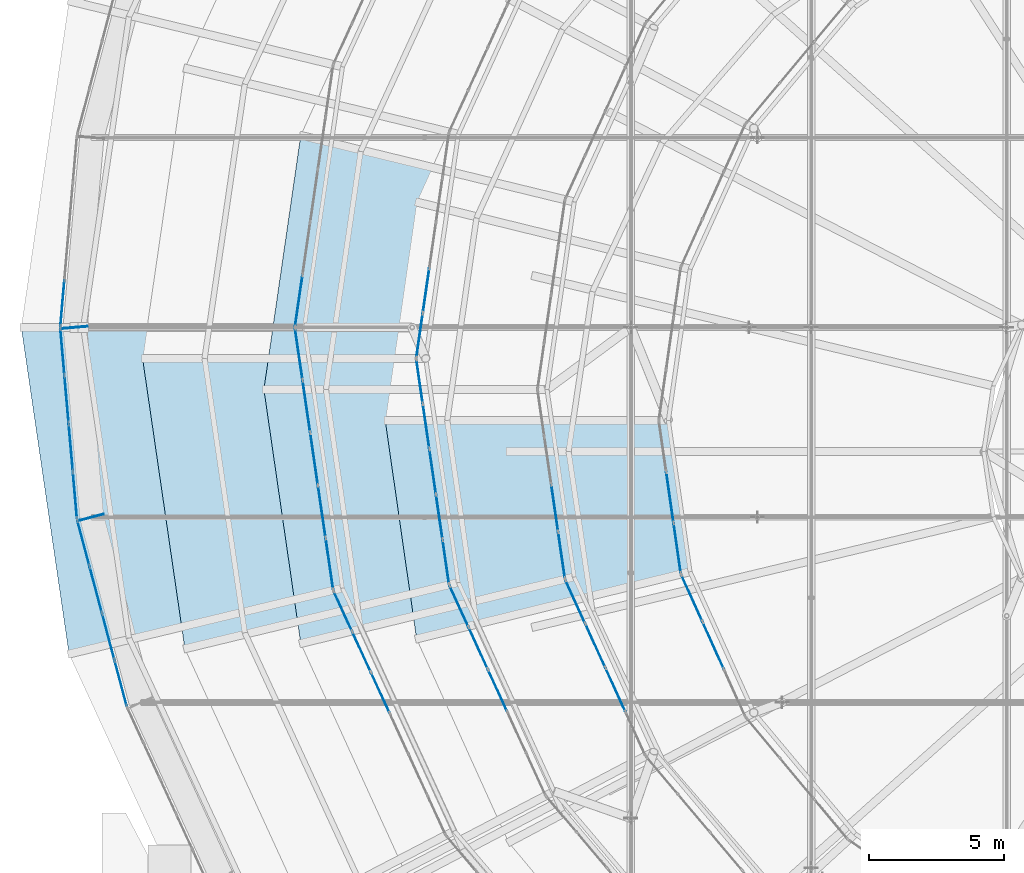
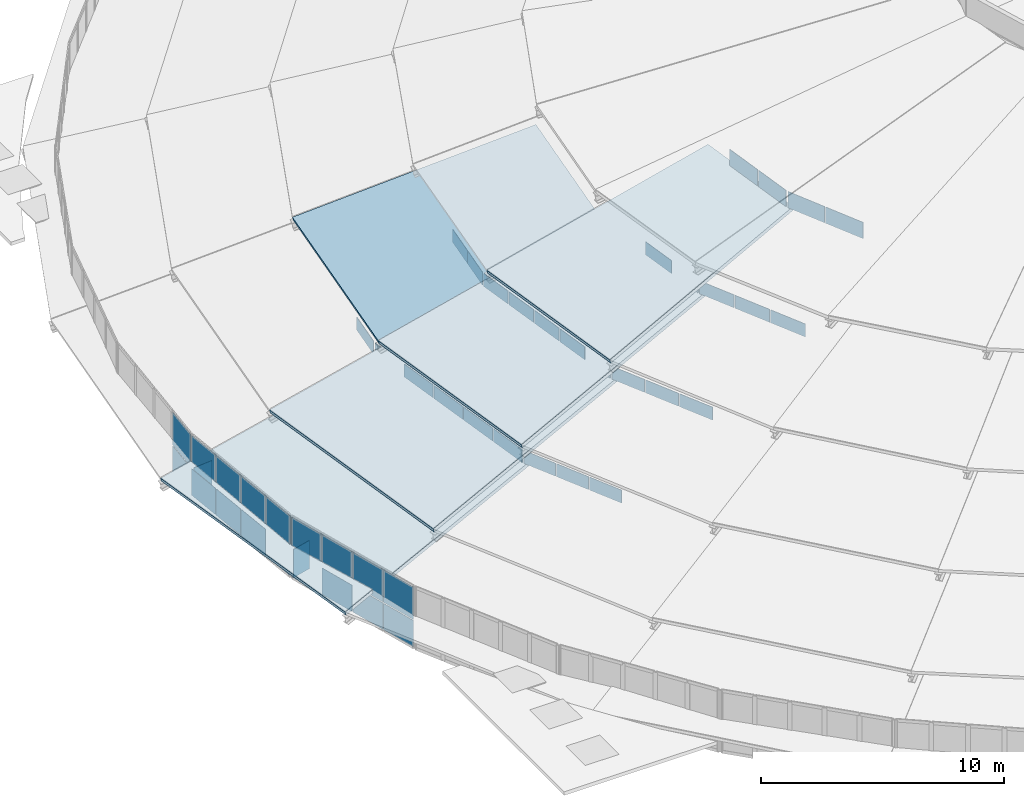
# One storey, part 146 of 173: 48 plates, 5 slabs, 17 elements without a shape of their own.
"""IFC4 building model written with IfcOpenShell, lengths in metres."""

import ifcopenshell
import ifcopenshell.guid

model = None  # the IFC model being written
_history = None  # IfcOwnerHistory: only IFC2X3 demands one
_inside = {}  # id of a spatial element -> (the spatial element, [elements in it])
_under = {}  # id of a project, library or spatial element -> (it, [spatial elements below it])
_declared = {}  # id of a project -> (the project, [libraries it declares])
_typed = {}  # id of a type object -> (the type object, [elements of that type])
_made_of = {}  # id of a material, layer set ... -> (it, [elements and type objects made of it])


def new_model(schema):
    """Start an empty IFC model of exactly this schema.

    Asked for "IFC4X3", IfcOpenShell would pick the latest addendum, in which some entities
    have other attributes; the version numbers below select the first issue.
    IFC2X3 requires an IfcOwnerHistory on every rooted entity: one is made here for all.
    """
    global model, _history
    if schema == "IFC4X3":
        model = ifcopenshell.file(schema_version=(4, 3, 0, 0))
    else:
        model = ifcopenshell.file(schema=schema)
    _inside.clear()
    _under.clear()
    _declared.clear()
    _typed.clear()
    _made_of.clear()
    _history = None
    if model.schema == "IFC2X3":
        org = make("IfcOrganization", Name="unknown")
        user = make(
            "IfcPersonAndOrganization",
            ThePerson=make("IfcPerson", FamilyName="unknown"),
            TheOrganization=org,
        )
        app = make(
            "IfcApplication",
            ApplicationDeveloper=org,
            Version="unknown",
            ApplicationFullName="unknown",
            ApplicationIdentifier="unknown",
        )
        _history = make(
            "IfcOwnerHistory",
            OwningUser=user,
            OwningApplication=app,
            ChangeAction="ADDED",
            CreationDate=0,
        )
    return model


def make(cls, **values):
    """One entity of the class cls with the attributes given. An attribute that is None is left unset."""
    return model.create_entity(
        cls, **{name: value for name, value in values.items() if value is not None}
    )


def rooted(cls, **values):
    """An entity with a GlobalId (a new one), such as an element, a storey or a relation."""
    return make(cls, GlobalId=ifcopenshell.guid.new(), OwnerHistory=_history, **values)


def si_unit(unit_type, name, prefix=None):
    """IfcSIUnit, for example si_unit("LENGTHUNIT", "METRE", prefix="MILLI")."""
    return make("IfcSIUnit", UnitType=unit_type, Prefix=prefix, Name=name)


def assignment(units):
    """IfcUnitAssignment: the units of a project."""
    return None if units is None else make("IfcUnitAssignment", Units=units)


def point(xyz):
    """IfcCartesianPoint."""
    return None if xyz is None else make("IfcCartesianPoint", Coordinates=xyz)


def direction(xyz):
    """IfcDirection."""
    return None if xyz is None else make("IfcDirection", DirectionRatios=xyz)


def frame(location, z_axis=None, x_axis=None):
    """IfcAxis2Placement3D, a coordinate frame: its origin and axes. An axis left out is left unset."""
    return make(
        "IfcAxis2Placement3D",
        Location=point(location),
        Axis=direction(z_axis),
        RefDirection=direction(x_axis),
    )


def frame_2d(location, x_axis=None):
    """IfcAxis2Placement2D, a coordinate frame in the plane: its origin and x axis."""
    return make(
        "IfcAxis2Placement2D", Location=point(location), RefDirection=direction(x_axis)
    )


def origin():
    """The frame at (0, 0, 0) with its axes left unset."""
    return frame((0.0, 0.0, 0.0))


def origin_2d():
    """The frame at (0, 0) in the plane with its x axis left unset."""
    return frame_2d((0.0, 0.0))


def place(relative_to, where):
    """IfcLocalPlacement: puts the frame where relative to a parent placement (None: the world)."""
    return make(
        "IfcLocalPlacement", PlacementRelTo=relative_to, RelativePlacement=where
    )


def context(
    kind, dimensions, precision=None, world=None, true_north=None, identifier=None
):
    """IfcGeometricRepresentationContext, for example the 3D "Model" context."""
    return make(
        "IfcGeometricRepresentationContext",
        ContextIdentifier=identifier,
        ContextType=kind,
        CoordinateSpaceDimension=dimensions,
        Precision=precision,
        WorldCoordinateSystem=world,
        TrueNorth=true_north,
    )


def subcontext(parent, identifier, kind, view, scale=None):
    """IfcGeometricRepresentationSubContext, for example "Body" below "Model"."""
    return make(
        "IfcGeometricRepresentationSubContext",
        ContextIdentifier=identifier,
        ContextType=kind,
        ParentContext=parent,
        TargetScale=scale,
        TargetView=view,
    )


def project(units=None, contexts=None):
    """IfcProject with its units and contexts."""
    return rooted(
        "IfcProject",
        Name="project",
        RepresentationContexts=contexts,
        UnitsInContext=assignment(units),
    )


def spatial(cls, under=None, at=None, **own):
    """A site, building, storey or space (cls), placed at a placement, below another one or the project."""
    s = rooted(cls, ObjectPlacement=at, **own)
    if under is not None:
        _under.setdefault(under.id(), (under, []))[1].append(s)
    return s


def polyline(points):
    """IfcPolyline through the points."""
    return make("IfcPolyline", Points=[point(p) for p in points])


def profile(cls, at=None, kind="AREA", **sizes):
    """A parametric profile (cls). Its sizes go by their IFC names, for example OverallWidth=200.0."""
    return make(cls, ProfileType=kind, Position=at, **sizes)


def rectangle(**sizes):
    """IfcRectangleProfileDef."""
    return profile("IfcRectangleProfileDef", **sizes)


def outline(outer, holes=None, kind="AREA"):
    """IfcArbitraryClosedProfileDef: a profile drawn as a closed curve; with holes, ...WithVoids."""
    if holes is None:
        return make("IfcArbitraryClosedProfileDef", ProfileType=kind, OuterCurve=outer)
    return make(
        "IfcArbitraryProfileDefWithVoids",
        ProfileType=kind,
        OuterCurve=outer,
        InnerCurves=holes,
    )


def extrude(swept, where, along, depth):
    """IfcExtrudedAreaSolid: the profile swept, set in the frame where, extruded along a direction by depth."""
    return make(
        "IfcExtrudedAreaSolid",
        SweptArea=swept,
        Position=where,
        ExtrudedDirection=direction(along),
        Depth=depth,
    )


def shape(context_of_items, identifier, shape_type, items):
    """IfcShapeRepresentation: the items that make up one representation, for example the "Body"."""
    return make(
        "IfcShapeRepresentation",
        ContextOfItems=context_of_items,
        RepresentationIdentifier=identifier,
        RepresentationType=shape_type,
        Items=items,
    )


def material(Name=None, Category=None):
    """IfcMaterial."""
    return make("IfcMaterial", Name=Name, Category=Category)


def layer(
    of_material, thickness, ventilated=None, Name=None, Category=None, Priority=None
):
    """IfcMaterialLayer: one layer of a wall or slab, of a material (None: an air gap)."""
    return make(
        "IfcMaterialLayer",
        Material=of_material,
        LayerThickness=thickness,
        IsVentilated=ventilated,
        Name=Name,
        Category=Category,
        Priority=Priority,
    )


def layer_set(layers, Name=None):
    """IfcMaterialLayerSet."""
    return make("IfcMaterialLayerSet", MaterialLayers=layers, LayerSetName=Name)


def made_of(thing, what):
    """Note that an element or type object is made of a material, layer set ...; save() writes the relation."""
    if what is not None:
        _made_of.setdefault(what.id(), (what, []))[1].append(thing)
    return thing


def type_object(cls, material=None, **own):
    """A type object (cls), such as IfcWallType, which elements share."""
    return made_of(rooted(cls, **own), material)


def element(
    cls,
    number,
    at=None,
    inside=None,
    cuts=None,
    type_object=None,
    material=None,
    context=None,
    identifier="Body",
    shape_type=None,
    held_by="IfcProductDefinitionShape",
    body=None,
    shapes=None,
    **own,
):
    """One element of the class cls, such as IfcWall. Its Tag is "e" and its number.

    at: its placement. inside: the storey or other place that contains it. cuts: it is an
    opening in that element (IfcRelVoidsElement). A single representation is given by context,
    identifier, shape_type and body (its items); several are given by shapes. held_by: the class
    of the entity that holds the representations. save() writes the other relations.
    """
    e = rooted(cls, Tag="e%d" % number, ObjectPlacement=at, **own)
    if body is not None:
        shapes = [shape(context, identifier, shape_type, body)]
    if shapes is not None:
        e.Representation = make(held_by, Representations=shapes)
    if inside is not None:
        _inside.setdefault(inside.id(), (inside, []))[1].append(e)
    if cuts is not None:
        rooted(
            "IfcRelVoidsElement", RelatingBuildingElement=cuts, RelatedOpeningElement=e
        )
    if type_object is not None:
        _typed.setdefault(type_object.id(), (type_object, []))[1].append(e)
    return made_of(e, material)


def aggregate(whole, parts):
    """IfcRelAggregates: a whole, such as a stair, and the parts it consists of."""
    return rooted("IfcRelAggregates", RelatingObject=whole, RelatedObjects=parts)


def save(model, path):
    """Write the relations noted so far, then the file.

    IfcRelAggregates (storeys below a building ...), IfcRelContainedInSpatialStructure (elements
    in a storey), IfcRelDefinesByType, IfcRelAssociatesMaterial and IfcRelDeclares: one each for
    every whole, place, type object, material and project.
    """
    for whole, parts in _under.values():
        aggregate(whole, parts)
    for where, things in _inside.values():
        rooted(
            "IfcRelContainedInSpatialStructure",
            RelatedElements=things,
            RelatingStructure=where,
        )
    for kind, things in _typed.values():
        rooted("IfcRelDefinesByType", RelatedObjects=things, RelatingType=kind)
    for what, things in _made_of.values():
        rooted("IfcRelAssociatesMaterial", RelatedObjects=things, RelatingMaterial=what)
    for by, libraries in _declared.values():
        rooted("IfcRelDeclares", RelatingContext=by, RelatedDefinitions=libraries)
    model.write(path)


model = new_model("IFC4")

# Units and contexts
model_context = context("Model", 3, precision=1e-05, world=origin(), true_north=direction((0.0, 1.0)))
body_context = subcontext(model_context, "Body", "Model", "MODEL_VIEW")
ifc_project = project(units=[si_unit("LENGTHUNIT", "METRE"), si_unit("AREAUNIT", "SQUARE_METRE"), si_unit("VOLUMEUNIT", "CUBIC_METRE"), si_unit("PLANEANGLEUNIT", "RADIAN"), si_unit("MASSUNIT", "GRAM", prefix="KILO")], contexts=[model_context])

# Site, building, storey
site_placement = place(None, origin())
site = spatial("IfcSite", under=ifc_project, at=site_placement, CompositionType="ELEMENT")
building_placement = place(site_placement, origin())
building = spatial("IfcBuilding", under=site, at=building_placement, Name="Glasvene Arena", CompositionType="ELEMENT")
storey_placement = place(building_placement, frame((0.0, 0.0, 28.800048828125)))
storey = spatial("IfcBuildingStorey", under=building, at=storey_placement, Name="RF", CompositionType="ELEMENT", Elevation=28.800048828125)

# Curtain wall, plate
ifc_material_1 = material(Name="Low-emissivity laminated double glazing", Category="glass")
curtain_wall_type_1 = type_object("IfcCurtainWallType", Name="CW-PET1-986x75", PredefinedType="USERDEFINED", material=ifc_material_1)
curtain_wall_1_placement = place(storey_placement, frame((51.575927734375, 82.757568359375, 0.0)))
curtain_wall_1 = element("IfcCurtainWall", 1, at=curtain_wall_1_placement, inside=storey, type_object=curtain_wall_type_1, Name="Petal ring 1-2 clerestory curtain wall 12", ObjectType="CURTAIN WALL", PredefinedType="USERDEFINED")
ifc_layer_1 = layer(ifc_material_1, 0.028076171875)
ifc_layer_set_1 = layer_set([ifc_layer_1], Name="Low-emissivity laminated double glazing")
plate_type_1 = type_object("IfcPlateType", Name="CW-GLZ-28", PredefinedType="CURTAIN_PANEL", material=ifc_layer_set_1)
plate_1_placement = place(storey_placement, frame((50.29443359375, 73.988037109375, 2.6298828125), z_axis=(0.0, 0.0, 1.0), x_axis=(-0.144607878249, -0.989489040641, 0.0)))
plate_1 = element("IfcPlate", 2, at=plate_1_placement, type_object=plate_type_1, Name="CW-081 panel 5.1", PredefinedType="CURTAIN_PANEL", context=body_context, shape_type="SweptSolid", body=[
    extrude(rectangle(XDim=1.897216796875, YDim=0.028076171875, at=origin_2d()), origin(), (0.0, 0.0, 1.0), 0.64990234375),
])
aggregate(curtain_wall_1, [plate_1])

# Curtain wall, plates
curtain_wall_2_placement = place(storey_placement, frame((50.14990234375, 73.0, 0.0)))
curtain_wall_2 = element("IfcCurtainWall", 3, at=curtain_wall_2_placement, inside=storey, type_object=curtain_wall_type_1, Name="Petal ring 1-2 clerestory curtain wall 13", ObjectType="CURTAIN WALL", PredefinedType="USERDEFINED")
plate_2_placement = place(storey_placement, frame((50.29443359375, 72.011962890625, 2.6298828125), z_axis=(0.0, 0.0, 1.0), x_axis=(0.144607878249, -0.989489040641, 0.0)))
plate_2 = element("IfcPlate", 4, at=plate_2_placement, type_object=plate_type_1, Name="CW-081 panel 1.1", PredefinedType="CURTAIN_PANEL", context=body_context, shape_type="SweptSolid", body=[
    extrude(rectangle(XDim=1.897216796875, YDim=0.028076171875, at=origin_2d()), origin(), (0.0, 0.0, 1.0), 0.64990234375),
])
plate_3_placement = place(storey_placement, frame((50.577880859375, 70.07275390625, 2.6298828125), z_axis=(0.0, 0.0, 1.0), x_axis=(0.144607878249, -0.989489040641, 0.0)))
plate_3 = element("IfcPlate", 5, at=plate_3_placement, type_object=plate_type_1, Name="CW-081 panel 2.1", PredefinedType="CURTAIN_PANEL", context=body_context, shape_type="SweptSolid", body=[
    extrude(rectangle(XDim=1.922119140625, YDim=0.028076171875, at=origin_2d()), origin(), (0.0, 0.0, 1.0), 0.64990234375),
])
plate_4_placement = place(storey_placement, frame((50.863037109375, 68.121337890625, 2.6298828125), z_axis=(0.0, 0.0, 1.0), x_axis=(0.144607878249, -0.989489040641, 0.0)))
plate_4 = element("IfcPlate", 6, at=plate_4_placement, type_object=plate_type_1, Name="CW-081 panel 3.1", PredefinedType="CURTAIN_PANEL", context=body_context, shape_type="SweptSolid", body=[
    extrude(rectangle(XDim=1.922119140625, YDim=0.028076171875, at=origin_2d()), origin(), (0.0, 0.0, 1.0), 0.64990234375),
])
plate_5_placement = place(storey_placement, frame((51.148193359375, 66.169677734375, 2.6298828125), z_axis=(0.0, 0.0, 1.0), x_axis=(0.144607878249, -0.989489040641, 0.0)))
plate_5 = element("IfcPlate", 7, at=plate_5_placement, type_object=plate_type_1, Name="CW-081 panel 4.1", PredefinedType="CURTAIN_PANEL", context=body_context, shape_type="SweptSolid", body=[
    extrude(rectangle(XDim=1.922119140625, YDim=0.028076171875, at=origin_2d()), origin(), (0.0, 0.0, 1.0), 0.64990234375),
])
plate_6_placement = place(storey_placement, frame((51.431640625, 64.230712890625, 2.6298828125), z_axis=(0.0, 0.0, 1.0), x_axis=(0.144607878249, -0.989489040641, 0.0)))
plate_6 = element("IfcPlate", 8, at=plate_6_placement, type_object=plate_type_1, Name="CW-081 panel 5.1", PredefinedType="CURTAIN_PANEL", context=body_context, shape_type="SweptSolid", body=[
    extrude(rectangle(XDim=1.897216796875, YDim=0.028076171875, at=origin_2d()), origin(), (0.0, 0.0, 1.0), 0.64990234375),
])
aggregate(curtain_wall_2, [plate_2, plate_3, plate_4, plate_5, plate_6])

curtain_wall_type_2 = type_object("IfcCurtainWallType", Name="CW-PET1-1001x75", PredefinedType="USERDEFINED", material=ifc_material_1)
curtain_wall_3_placement = place(storey_placement, frame((51.575927734375, 63.242431640625, 0.0)))
curtain_wall_3 = element("IfcCurtainWall", 9, at=curtain_wall_3_placement, inside=storey, type_object=curtain_wall_type_2, Name="Petal ring 1-2 clerestory curtain wall 14", ObjectType="CURTAIN WALL", PredefinedType="USERDEFINED")
plate_7_placement = place(storey_placement, frame((51.9296875, 62.473388671875, 2.6298828125), z_axis=(0.0, 0.0, 1.0), x_axis=(0.41776127596, -0.908556831634, 0.0)))
plate_7 = element("IfcPlate", 10, at=plate_7_placement, type_object=plate_type_1, Name="CW-082 panel 1.1", PredefinedType="CURTAIN_PANEL", context=body_context, shape_type="SweptSolid", body=[
    extrude(rectangle(XDim=1.593017578125, YDim=0.028076171875, at=origin_2d()), origin(), (0.0, 0.0, 1.0), 0.64990234375),
])
plate_8_placement = place(storey_placement, frame((52.62109375, 60.969482421875, 2.6298828125), z_axis=(0.0, 0.0, 1.0), x_axis=(0.41776127596, -0.908556831634, 0.0)))
plate_8 = element("IfcPlate", 11, at=plate_8_placement, type_object=plate_type_1, Name="CW-082 panel 2.1", PredefinedType="CURTAIN_PANEL", context=body_context, shape_type="SweptSolid", body=[
    extrude(rectangle(XDim=1.617919921875, YDim=0.028076171875, at=origin_2d()), origin(), (0.0, 0.0, 1.0), 0.64990234375),
])
plate_9_placement = place(storey_placement, frame((53.318115234375, 59.453857421875, 2.6298828125), z_axis=(0.0, 0.0, 1.0), x_axis=(0.41776127596, -0.908556831634, 0.0)))
plate_9 = element("IfcPlate", 12, at=plate_9_placement, type_object=plate_type_1, Name="CW-082 panel 3.1", PredefinedType="CURTAIN_PANEL", context=body_context, shape_type="SweptSolid", body=[
    extrude(rectangle(XDim=1.617919921875, YDim=0.028076171875, at=origin_2d()), origin(), (0.0, 0.0, 1.0), 0.64990234375),
])
aggregate(curtain_wall_3, [plate_7, plate_8, plate_9])

curtain_wall_type_3 = type_object("IfcCurtainWallType", Name="CW-PET2-849x75", PredefinedType="USERDEFINED", material=ifc_material_1)
curtain_wall_4_placement = place(storey_placement, frame((55.873291015625, 80.248779296875, 0.0)))
curtain_wall_4 = element("IfcCurtainWall", 13, at=curtain_wall_4_placement, inside=storey, type_object=curtain_wall_type_3, Name="Petal ring 2-3 clerestory curtain wall 12", ObjectType="CURTAIN WALL", PredefinedType="USERDEFINED")
plate_10_placement = place(storey_placement, frame((55.01708984375, 74.36962890625, 5.22998046875), z_axis=(0.0, 0.0, 1.0), x_axis=(-0.144132635268, -0.98955837799, 0.0)))
plate_10 = element("IfcPlate", 14, at=plate_10_placement, type_object=plate_type_1, Name="CW-087 panel 4.1", PredefinedType="CURTAIN_PANEL", context=body_context, shape_type="SweptSolid", body=[
    extrude(rectangle(XDim=1.6474609375, YDim=0.028076171875, at=origin_2d()), origin(), (0.0, 0.0, 1.0), 0.64990234375),
])
plate_11_placement = place(storey_placement, frame((54.774169921875, 72.7021484375, 5.22998046875), z_axis=(0.0, 0.0, 1.0), x_axis=(-0.144132635268, -0.98955837799, 0.0)))
plate_11 = element("IfcPlate", 15, at=plate_11_placement, type_object=plate_type_1, Name="CW-087 panel 5.1", PredefinedType="CURTAIN_PANEL", context=body_context, shape_type="SweptSolid", body=[
    extrude(rectangle(XDim=1.62255859375, YDim=0.028076171875, at=origin_2d()), origin(), (0.0, 0.0, 1.0), 0.64990234375),
])
aggregate(curtain_wall_4, [plate_10, plate_11])

curtain_wall_5_placement = place(storey_placement, frame((54.64990234375, 71.85009765625, 0.0)))
curtain_wall_5 = element("IfcCurtainWall", 16, at=curtain_wall_5_placement, inside=storey, type_object=curtain_wall_type_3, Name="Petal ring 2-3 clerestory curtain wall 13", ObjectType="CURTAIN WALL", PredefinedType="USERDEFINED")
plate_12_placement = place(storey_placement, frame((54.774169921875, 70.997802734375, 5.22998046875), z_axis=(0.0, 0.0, 1.0), x_axis=(0.144132635268, -0.98955837799, 0.0)))
plate_12 = element("IfcPlate", 17, at=plate_12_placement, type_object=plate_type_1, Name="CW-087 panel 1.1", PredefinedType="CURTAIN_PANEL", context=body_context, shape_type="SweptSolid", body=[
    extrude(rectangle(XDim=1.62255859375, YDim=0.028076171875, at=origin_2d()), origin(), (0.0, 0.0, 1.0), 0.64990234375),
])
plate_13_placement = place(storey_placement, frame((55.01708984375, 69.330322265625, 5.22998046875), z_axis=(0.0, 0.0, 1.0), x_axis=(0.144132635268, -0.98955837799, 0.0)))
plate_13 = element("IfcPlate", 18, at=plate_13_placement, type_object=plate_type_1, Name="CW-087 panel 2.1", PredefinedType="CURTAIN_PANEL", context=body_context, shape_type="SweptSolid", body=[
    extrude(rectangle(XDim=1.6474609375, YDim=0.028076171875, at=origin_2d()), origin(), (0.0, 0.0, 1.0), 0.64990234375),
])
plate_14_placement = place(storey_placement, frame((55.26171875, 67.650634765625, 5.22998046875), z_axis=(0.0, 0.0, 1.0), x_axis=(0.144132635268, -0.98955837799, 0.0)))
plate_14 = element("IfcPlate", 19, at=plate_14_placement, type_object=plate_type_1, Name="CW-087 panel 3.1", PredefinedType="CURTAIN_PANEL", context=body_context, shape_type="SweptSolid", body=[
    extrude(rectangle(XDim=1.6474609375, YDim=0.028076171875, at=origin_2d()), origin(), (0.0, 0.0, 1.0), 0.64990234375),
])
plate_15_placement = place(storey_placement, frame((55.50634765625, 65.970947265625, 5.22998046875), z_axis=(0.0, 0.0, 1.0), x_axis=(0.144132635268, -0.98955837799, 0.0)))
plate_15 = element("IfcPlate", 20, at=plate_15_placement, type_object=plate_type_1, Name="CW-087 panel 4.1", PredefinedType="CURTAIN_PANEL", context=body_context, shape_type="SweptSolid", body=[
    extrude(rectangle(XDim=1.6474609375, YDim=0.028076171875, at=origin_2d()), origin(), (0.0, 0.0, 1.0), 0.64990234375),
])
plate_16_placement = place(storey_placement, frame((55.749267578125, 64.303466796875, 5.22998046875), z_axis=(0.0, 0.0, 1.0), x_axis=(0.144132635268, -0.98955837799, 0.0)))
plate_16 = element("IfcPlate", 21, at=plate_16_placement, type_object=plate_type_1, Name="CW-087 panel 5.1", PredefinedType="CURTAIN_PANEL", context=body_context, shape_type="SweptSolid", body=[
    extrude(rectangle(XDim=1.62255859375, YDim=0.028076171875, at=origin_2d()), origin(), (0.0, 0.0, 1.0), 0.64990234375),
])
aggregate(curtain_wall_5, [plate_12, plate_13, plate_14, plate_15, plate_16])

curtain_wall_type_4 = type_object("IfcCurtainWallType", Name="CW-PET2-861x75", PredefinedType="USERDEFINED", material=ifc_material_1)
curtain_wall_6_placement = place(storey_placement, frame((55.873291015625, 63.451416015625, 0.0)))
curtain_wall_6 = element("IfcCurtainWall", 22, at=curtain_wall_6_placement, inside=storey, type_object=curtain_wall_type_4, Name="Petal ring 2-3 clerestory curtain wall 14", ObjectType="CURTAIN WALL", PredefinedType="USERDEFINED")
plate_17_placement = place(storey_placement, frame((56.237060546875, 62.6572265625, 5.22998046875), z_axis=(0.0, 0.0, 1.0), x_axis=(0.416591913749, -0.909093602111, 0.0)))
plate_17 = element("IfcPlate", 23, at=plate_17_placement, type_object=plate_type_1, Name="CW-088 panel 1.1", PredefinedType="CURTAIN_PANEL", context=body_context, shape_type="SweptSolid", body=[
    extrude(rectangle(XDim=1.646728515625, YDim=0.028076171875, at=origin_2d()), origin(), (0.0, 0.0, 1.0), 0.64990234375),
])
plate_18_placement = place(storey_placement, frame((56.94921875, 61.103515625, 5.22998046875), z_axis=(0.0, 0.0, 1.0), x_axis=(0.416591913749, -0.909093602111, 0.0)))
plate_18 = element("IfcPlate", 24, at=plate_18_placement, type_object=plate_type_1, Name="CW-088 panel 2.1", PredefinedType="CURTAIN_PANEL", context=body_context, shape_type="SweptSolid", body=[
    extrude(rectangle(XDim=1.671875, YDim=0.028076171875, at=origin_2d()), origin(), (0.0, 0.0, 1.0), 0.64990234375),
])
plate_19_placement = place(storey_placement, frame((57.66650390625, 59.5380859375, 5.22998046875), z_axis=(0.0, 0.0, 1.0), x_axis=(0.416591913749, -0.909093602111, 0.0)))
plate_19 = element("IfcPlate", 25, at=plate_19_placement, type_object=plate_type_1, Name="CW-088 panel 3.1", PredefinedType="CURTAIN_PANEL", context=body_context, shape_type="SweptSolid", body=[
    extrude(rectangle(XDim=1.671875, YDim=0.028076171875, at=origin_2d()), origin(), (0.0, 0.0, 1.0), 0.64990234375),
])
aggregate(curtain_wall_6, [plate_17, plate_18, plate_19])

curtain_wall_type_5 = type_object("IfcCurtainWallType", Name="CW-PET3-711x75", PredefinedType="USERDEFINED", material=ifc_material_1)
curtain_wall_7_placement = place(storey_placement, frame((59.14990234375, 70.699951171875, 0.0)))
curtain_wall_7 = element("IfcCurtainWall", 26, at=curtain_wall_7_placement, inside=storey, type_object=curtain_wall_type_5, Name="Petal ring 3-4 clerestory curtain wall 13", ObjectType="CURTAIN WALL", PredefinedType="USERDEFINED")
plate_20_placement = place(storey_placement, frame((59.787841796875, 66.300048828125, 7.8798828125), z_axis=(0.0, 0.0, 1.0), x_axis=(0.143460001758, -0.989656115979, 0.0)))
plate_20 = element("IfcPlate", 27, at=plate_20_placement, type_object=plate_type_1, Name="CW-093 panel 3.1", PredefinedType="CURTAIN_PANEL", context=body_context, shape_type="SweptSolid", body=[
    extrude(rectangle(XDim=1.728271484375, YDim=0.028076171875, at=origin_2d()), origin(), (0.0, 0.0, 1.0), 0.64990234375),
])
plate_21_placement = place(storey_placement, frame((60.041259765625, 64.552490234375, 7.8798828125), z_axis=(0.0, 0.0, 1.0), x_axis=(0.143460001758, -0.989656115979, 0.0)))
plate_21 = element("IfcPlate", 28, at=plate_21_placement, type_object=plate_type_1, Name="CW-093 panel 4.1", PredefinedType="CURTAIN_PANEL", context=body_context, shape_type="SweptSolid", body=[
    extrude(rectangle(XDim=1.703369140625, YDim=0.028076171875, at=origin_2d()), origin(), (0.0, 0.0, 1.0), 0.64990234375),
])
aggregate(curtain_wall_7, [plate_20, plate_21])

curtain_wall_type_6 = type_object("IfcCurtainWallType", Name="CW-PET3-721x75", PredefinedType="USERDEFINED", material=ifc_material_1)
curtain_wall_8_placement = place(storey_placement, frame((60.17041015625, 63.66015625, 0.0)))
curtain_wall_8 = element("IfcCurtainWall", 29, at=curtain_wall_8_placement, inside=storey, type_object=curtain_wall_type_6, Name="Petal ring 3-4 clerestory curtain wall 14", ObjectType="CURTAIN WALL", PredefinedType="USERDEFINED")
plate_22_placement = place(storey_placement, frame((60.5498046875, 62.82861328125, 7.8798828125), z_axis=(0.0, 0.0, 1.0), x_axis=(0.414967716717, -0.909836135842, 0.0)))
plate_22 = element("IfcPlate", 30, at=plate_22_placement, type_object=plate_type_1, Name="CW-094 panel 1.1", PredefinedType="CURTAIN_PANEL", context=body_context, shape_type="SweptSolid", body=[
    extrude(rectangle(XDim=1.7275390625, YDim=0.028076171875, at=origin_2d()), origin(), (0.0, 0.0, 1.0), 0.64990234375),
])
plate_23_placement = place(storey_placement, frame((61.29248046875, 61.199951171875, 7.8798828125), z_axis=(0.0, 0.0, 1.0), x_axis=(0.414967716717, -0.909836135842, 0.0)))
plate_23 = element("IfcPlate", 31, at=plate_23_placement, type_object=plate_type_1, Name="CW-094 panel 2.1", PredefinedType="CURTAIN_PANEL", context=body_context, shape_type="SweptSolid", body=[
    extrude(rectangle(XDim=1.75244140625, YDim=0.028076171875, at=origin_2d()), origin(), (0.0, 0.0, 1.0), 0.64990234375),
])
plate_24_placement = place(storey_placement, frame((62.04052734375, 59.56005859375, 7.8798828125), z_axis=(0.0, 0.0, 1.0), x_axis=(0.414967716717, -0.909836135842, 0.0)))
plate_24 = element("IfcPlate", 32, at=plate_24_placement, type_object=plate_type_1, Name="CW-094 panel 3.1", PredefinedType="CURTAIN_PANEL", context=body_context, shape_type="SweptSolid", body=[
    extrude(rectangle(XDim=1.75244140625, YDim=0.028076171875, at=origin_2d()), origin(), (0.0, 0.0, 1.0), 0.64990234375),
])
aggregate(curtain_wall_8, [plate_22, plate_23, plate_24])

curtain_wall_type_7 = type_object("IfcCurtainWallType", Name="CW-PET4-575x92", PredefinedType="USERDEFINED", material=ifc_material_1)
curtain_wall_9_placement = place(storey_placement, frame((63.64990234375, 69.550048828125, 0.0)))
curtain_wall_9 = element("IfcCurtainWall", 33, at=curtain_wall_9_placement, inside=storey, type_object=curtain_wall_type_7, Name="Petal ring 4-5 clerestory curtain wall 13", ObjectType="CURTAIN WALL", PredefinedType="USERDEFINED")
plate_25_placement = place(storey_placement, frame((64.058837890625, 66.702880859375, 10.580078125), z_axis=(0.0, 0.0, 1.0), x_axis=(0.142166045165, -0.989842823686, 0.0)))
plate_25 = element("IfcPlate", 34, at=plate_25_placement, type_object=plate_type_1, Name="CW-099 panel 2.1", PredefinedType="CURTAIN_PANEL", context=body_context, shape_type="SweptSolid", body=[
    extrude(rectangle(XDim=1.867431640625, YDim=0.028076171875, at=origin_2d()), origin(), (0.0, 0.0, 1.0), 0.81591796875),
])
plate_26_placement = place(storey_placement, frame((64.329833984375, 64.8173828125, 10.580078125), z_axis=(0.0, 0.0, 1.0), x_axis=(0.142166045165, -0.989842823686, 0.0)))
plate_26 = element("IfcPlate", 35, at=plate_26_placement, type_object=plate_type_1, Name="CW-099 panel 3.1", PredefinedType="CURTAIN_PANEL", context=body_context, shape_type="SweptSolid", body=[
    extrude(rectangle(XDim=1.842529296875, YDim=0.028076171875, at=origin_2d()), origin(), (0.0, 0.0, 1.0), 0.81591796875),
])
aggregate(curtain_wall_9, [plate_25, plate_26])

curtain_wall_type_8 = type_object("IfcCurtainWallType", Name="CW-PET4-582x92", PredefinedType="USERDEFINED", material=ifc_material_1)
curtain_wall_10_placement = place(storey_placement, frame((64.4677734375, 63.85595703125, 0.0)))
curtain_wall_10 = element("IfcCurtainWall", 36, at=curtain_wall_10_placement, inside=storey, type_object=curtain_wall_type_8, Name="Petal ring 4-5 clerestory curtain wall 14", ObjectType="CURTAIN WALL", PredefinedType="USERDEFINED")
plate_27_placement = place(storey_placement, frame((64.87255859375, 62.960205078125, 10.580078125), z_axis=(0.0, 0.0, 1.0), x_axis=(0.411778142566, -0.911284127649, 0.0)))
plate_27 = element("IfcPlate", 37, at=plate_27_placement, type_object=plate_type_1, Name="CW-100 panel 1.1", PredefinedType="CURTAIN_PANEL", context=body_context, shape_type="SweptSolid", body=[
    extrude(rectangle(XDim=1.865966796875, YDim=0.028076171875, at=origin_2d()), origin(), (0.0, 0.0, 1.0), 0.81591796875),
])
plate_28_placement = place(storey_placement, frame((65.66650390625, 61.202880859375, 10.580078125), z_axis=(0.0, 0.0, 1.0), x_axis=(0.411778142566, -0.911284127649, 0.0)))
plate_28 = element("IfcPlate", 38, at=plate_28_placement, type_object=plate_type_1, Name="CW-100 panel 2.1", PredefinedType="CURTAIN_PANEL", context=body_context, shape_type="SweptSolid", body=[
    extrude(rectangle(XDim=1.890869140625, YDim=0.028076171875, at=origin_2d()), origin(), (0.0, 0.0, 1.0), 0.81591796875),
])
aggregate(curtain_wall_10, [plate_27, plate_28])

curtain_wall_type_9 = type_object("IfcCurtainWallType", Name="CW-DRUM-715x310", PredefinedType="USERDEFINED", material=ifc_material_1)
curtain_wall_11_placement = place(storey_placement, frame((42.072509765625, 80.12548828125, 0.0)))
curtain_wall_11 = element("IfcCurtainWall", 39, at=curtain_wall_11_placement, inside=storey, type_object=curtain_wall_type_9, Name="Crown compression-ring fascia curtain wall 20", ObjectType="CURTAIN WALL", PredefinedType="USERDEFINED")
ifc_material_2 = material(Name="Insulated shadow-box spandrel panel")
ifc_layer_2 = layer(ifc_material_2, 0.02392578125)
ifc_layer_set_2 = layer_set([ifc_layer_2], Name="Insulated shadow-box spandrel panel")
plate_type_2 = type_object("IfcPlateType", Name="CW-SPN-24", PredefinedType="CURTAIN_PANEL", material=ifc_layer_set_2)
plate_29_placement = place(storey_placement, frame((41.52880859375, 73.903076171875, -1.330078125), z_axis=(0.0, 0.0, 1.0), x_axis=(-0.0870157178, -0.996206938771, 0.0)))
plate_29 = element("IfcPlate", 40, at=plate_29_placement, type_object=plate_type_2, Name="CW-071 panel 4.1", PredefinedType="CURTAIN_PANEL", context=body_context, shape_type="SweptSolid", body=[
    extrude(rectangle(XDim=1.713134765625, YDim=0.02392578125, at=origin_2d()), origin(), (0.0, 0.0, 1.0), 1.324951171875),
])
plate_30_placement = place(storey_placement, frame((41.52880859375, 73.903076171875, 0.044921875), z_axis=(0.0, 0.0, 1.0), x_axis=(-0.0870157178, -0.996206938771, 0.0)))
plate_30 = element("IfcPlate", 41, at=plate_30_placement, type_object=plate_type_2, Name="CW-071 panel 4.2", PredefinedType="CURTAIN_PANEL", context=body_context, shape_type="SweptSolid", body=[
    extrude(rectangle(XDim=1.713134765625, YDim=0.02392578125, at=origin_2d()), origin(), (0.0, 0.0, 1.0), 1.625),
])
aggregate(curtain_wall_11, [plate_29, plate_30])

curtain_wall_12_placement = place(storey_placement, frame((41.449951171875, 73.0, 0.0)))
curtain_wall_12 = element("IfcCurtainWall", 42, at=curtain_wall_12_placement, inside=storey, type_object=curtain_wall_type_9, Name="Crown compression-ring fascia curtain wall 21", ObjectType="CURTAIN WALL", PredefinedType="USERDEFINED")
plate_31_placement = place(storey_placement, frame((41.52880859375, 72.096923828125, -1.330078125), z_axis=(0.0, 0.0, 1.0), x_axis=(0.0870157178, -0.996206938771, 0.0)))
plate_31 = element("IfcPlate", 43, at=plate_31_placement, type_object=plate_type_2, Name="CW-071 panel 1.1", PredefinedType="CURTAIN_PANEL", context=body_context, shape_type="SweptSolid", body=[
    extrude(rectangle(XDim=1.713134765625, YDim=0.02392578125, at=origin_2d()), origin(), (0.0, 0.0, 1.0), 1.324951171875),
])
plate_32_placement = place(storey_placement, frame((41.52880859375, 72.096923828125, 0.044921875), z_axis=(0.0, 0.0, 1.0), x_axis=(0.0870157178, -0.996206938771, 0.0)))
plate_32 = element("IfcPlate", 44, at=plate_32_placement, type_object=plate_type_2, Name="CW-071 panel 1.2", PredefinedType="CURTAIN_PANEL", context=body_context, shape_type="SweptSolid", body=[
    extrude(rectangle(XDim=1.713134765625, YDim=0.02392578125, at=origin_2d()), origin(), (0.0, 0.0, 1.0), 1.625),
])
plate_33_placement = place(storey_placement, frame((41.683349609375, 70.327880859375, -1.330078125), z_axis=(0.0, 0.0, 1.0), x_axis=(0.0870157178, -0.996206938771, 0.0)))
plate_33 = element("IfcPlate", 45, at=plate_33_placement, type_object=plate_type_2, Name="CW-071 panel 2.1", PredefinedType="CURTAIN_PANEL", context=body_context, shape_type="SweptSolid", body=[
    extrude(rectangle(XDim=1.73828125, YDim=0.02392578125, at=origin_2d()), origin(), (0.0, 0.0, 1.0), 1.324951171875),
])
plate_34_placement = place(storey_placement, frame((41.683349609375, 70.327880859375, 0.044921875), z_axis=(0.0, 0.0, 1.0), x_axis=(0.0870157178, -0.996206938771, 0.0)))
plate_34 = element("IfcPlate", 46, at=plate_34_placement, type_object=plate_type_2, Name="CW-071 panel 2.2", PredefinedType="CURTAIN_PANEL", context=body_context, shape_type="SweptSolid", body=[
    extrude(rectangle(XDim=1.73828125, YDim=0.02392578125, at=origin_2d()), origin(), (0.0, 0.0, 1.0), 1.625),
])
plate_35_placement = place(storey_placement, frame((41.839111328125, 68.54638671875, -1.330078125), z_axis=(0.0, 0.0, 1.0), x_axis=(0.0870157178, -0.996206938771, 0.0)))
plate_35 = element("IfcPlate", 47, at=plate_35_placement, type_object=plate_type_2, Name="CW-071 panel 3.1", PredefinedType="CURTAIN_PANEL", context=body_context, shape_type="SweptSolid", body=[
    extrude(rectangle(XDim=1.73828125, YDim=0.02392578125, at=origin_2d()), origin(), (0.0, 0.0, 1.0), 1.324951171875),
])
plate_36_placement = place(storey_placement, frame((41.839111328125, 68.54638671875, 0.044921875), z_axis=(0.0, 0.0, 1.0), x_axis=(0.0870157178, -0.996206938771, 0.0)))
plate_36 = element("IfcPlate", 48, at=plate_36_placement, type_object=plate_type_2, Name="CW-071 panel 3.2", PredefinedType="CURTAIN_PANEL", context=body_context, shape_type="SweptSolid", body=[
    extrude(rectangle(XDim=1.73828125, YDim=0.02392578125, at=origin_2d()), origin(), (0.0, 0.0, 1.0), 1.625),
])
plate_37_placement = place(storey_placement, frame((41.993408203125, 66.777587890625, -1.330078125), z_axis=(0.0, 0.0, 1.0), x_axis=(0.0870157178, -0.996206938771, 0.0)))
plate_37 = element("IfcPlate", 49, at=plate_37_placement, type_object=plate_type_2, Name="CW-071 panel 4.1", PredefinedType="CURTAIN_PANEL", context=body_context, shape_type="SweptSolid", body=[
    extrude(rectangle(XDim=1.713134765625, YDim=0.02392578125, at=origin_2d()), origin(), (0.0, 0.0, 1.0), 1.324951171875),
])
plate_38_placement = place(storey_placement, frame((41.993408203125, 66.777587890625, 0.044921875), z_axis=(0.0, 0.0, 1.0), x_axis=(0.0870157178, -0.996206938771, 0.0)))
plate_38 = element("IfcPlate", 50, at=plate_38_placement, type_object=plate_type_2, Name="CW-071 panel 4.2", PredefinedType="CURTAIN_PANEL", context=body_context, shape_type="SweptSolid", body=[
    extrude(rectangle(XDim=1.713134765625, YDim=0.02392578125, at=origin_2d()), origin(), (0.0, 0.0, 1.0), 1.625),
])
aggregate(curtain_wall_12, [plate_31, plate_32, plate_33, plate_34, plate_35, plate_36, plate_37, plate_38])

curtain_wall_type_10 = type_object("IfcCurtainWallType", Name="CW-DRUM-719x310", PredefinedType="USERDEFINED", material=ifc_material_1)
curtain_wall_13_placement = place(storey_placement, frame((42.072509765625, 65.87451171875, 0.0)))
curtain_wall_13 = element("IfcCurtainWall", 51, at=curtain_wall_13_placement, inside=storey, type_object=curtain_wall_type_10, Name="Crown compression-ring fascia curtain wall 22", ObjectType="CURTAIN WALL", PredefinedType="USERDEFINED")
plate_39_placement = place(storey_placement, frame((42.30712890625, 64.99365234375, -1.330078125), z_axis=(0.0, 0.0, 1.0), x_axis=(0.257447172039, -0.966292374807, 0.0)))
plate_39 = element("IfcPlate", 52, at=plate_39_placement, type_object=plate_type_2, Name="CW-072 panel 1.1", PredefinedType="CURTAIN_PANEL", context=body_context, shape_type="SweptSolid", body=[
    extrude(rectangle(XDim=1.72314453125, YDim=0.02392578125, at=origin_2d()), origin(), (0.0, 0.0, 1.0), 1.324951171875),
])
plate_40_placement = place(storey_placement, frame((42.30712890625, 64.99365234375, 0.044921875), z_axis=(0.0, 0.0, 1.0), x_axis=(0.257447172039, -0.966292374807, 0.0)))
plate_40 = element("IfcPlate", 53, at=plate_40_placement, type_object=plate_type_2, Name="CW-072 panel 1.2", PredefinedType="CURTAIN_PANEL", context=body_context, shape_type="SweptSolid", body=[
    extrude(rectangle(XDim=1.72314453125, YDim=0.02392578125, at=origin_2d()), origin(), (0.0, 0.0, 1.0), 1.625),
])
plate_41_placement = place(storey_placement, frame((42.766845703125, 63.26806640625, -1.330078125), z_axis=(0.0, 0.0, 1.0), x_axis=(0.257447172039, -0.966292374807, 0.0)))
plate_41 = element("IfcPlate", 54, at=plate_41_placement, type_object=plate_type_2, Name="CW-072 panel 2.1", PredefinedType="CURTAIN_PANEL", context=body_context, shape_type="SweptSolid", body=[
    extrude(rectangle(XDim=1.748046875, YDim=0.02392578125, at=origin_2d()), origin(), (0.0, 0.0, 1.0), 1.324951171875),
])
plate_42_placement = place(storey_placement, frame((42.766845703125, 63.26806640625, 0.044921875), z_axis=(0.0, 0.0, 1.0), x_axis=(0.257447172039, -0.966292374807, 0.0)))
plate_42 = element("IfcPlate", 55, at=plate_42_placement, type_object=plate_type_2, Name="CW-072 panel 2.2", PredefinedType="CURTAIN_PANEL", context=body_context, shape_type="SweptSolid", body=[
    extrude(rectangle(XDim=1.748046875, YDim=0.02392578125, at=origin_2d()), origin(), (0.0, 0.0, 1.0), 1.625),
])
plate_43_placement = place(storey_placement, frame((43.229736328125, 61.530517578125, -1.330078125), z_axis=(0.0, 0.0, 1.0), x_axis=(0.257447172039, -0.966292374807, 0.0)))
plate_43 = element("IfcPlate", 56, at=plate_43_placement, type_object=plate_type_2, Name="CW-072 panel 3.1", PredefinedType="CURTAIN_PANEL", context=body_context, shape_type="SweptSolid", body=[
    extrude(rectangle(XDim=1.748046875, YDim=0.02392578125, at=origin_2d()), origin(), (0.0, 0.0, 1.0), 1.324951171875),
])
plate_44_placement = place(storey_placement, frame((43.229736328125, 61.530517578125, 0.044921875), z_axis=(0.0, 0.0, 1.0), x_axis=(0.257447172039, -0.966292374807, 0.0)))
plate_44 = element("IfcPlate", 57, at=plate_44_placement, type_object=plate_type_2, Name="CW-072 panel 3.2", PredefinedType="CURTAIN_PANEL", context=body_context, shape_type="SweptSolid", body=[
    extrude(rectangle(XDim=1.748046875, YDim=0.02392578125, at=origin_2d()), origin(), (0.0, 0.0, 1.0), 1.625),
])
plate_45_placement = place(storey_placement, frame((43.689453125, 59.80517578125, -1.330078125), z_axis=(0.0, 0.0, 1.0), x_axis=(0.257447172039, -0.966292374807, 0.0)))
plate_45 = element("IfcPlate", 58, at=plate_45_placement, type_object=plate_type_2, Name="CW-072 panel 4.1", PredefinedType="CURTAIN_PANEL", context=body_context, shape_type="SweptSolid", body=[
    extrude(rectangle(XDim=1.72314453125, YDim=0.02392578125, at=origin_2d()), origin(), (0.0, 0.0, 1.0), 1.324951171875),
])
plate_46_placement = place(storey_placement, frame((43.689453125, 59.80517578125, 0.044921875), z_axis=(0.0, 0.0, 1.0), x_axis=(0.257447172039, -0.966292374807, 0.0)))
plate_46 = element("IfcPlate", 59, at=plate_46_placement, type_object=plate_type_2, Name="CW-072 panel 4.2", PredefinedType="CURTAIN_PANEL", context=body_context, shape_type="SweptSolid", body=[
    extrude(rectangle(XDim=1.72314453125, YDim=0.02392578125, at=origin_2d()), origin(), (0.0, 0.0, 1.0), 1.625),
])
aggregate(curtain_wall_13, [plate_39, plate_40, plate_41, plate_42, plate_43, plate_44, plate_45, plate_46])

# Plates
ifc_material_3 = material(Name="Steel S355J2", Category="steel")
ifc_layer_3 = layer(ifc_material_3, 0.035888671875)
ifc_layer_set_3 = layer_set([ifc_layer_3], Name="Steel S355J2")
plate_type_3 = type_object("IfcPlateType", Name="PL-CAP-36", PredefinedType="SHEET", material=ifc_layer_set_3)
for number, where, z_axis, x_axis, name in (
    (60, (42.0, 73.0, -1.409912109375), (0.0, 0.0, 1.0), (0.087155742748, -0.996194698092, 0.0), "Ring beam node diaphragm cap plate ND-21"),
    (61, (42.615478515625, 65.96044921875, -1.409912109375), (0.0, 0.0, 1.0), (0.257807388214, -0.966196331282, 0.0), "Ring beam node diaphragm cap plate ND-22"),
):
    element("IfcPlate", number, at=place(storey_placement, frame(where, z_axis=z_axis, x_axis=x_axis)), inside=storey, type_object=plate_type_3, Name=name, PredefinedType="SHEET", context=body_context, shape_type="SweptSolid", body=[
        extrude(rectangle(XDim=0.035888671875, YDim=0.919921875, at=origin_2d()), origin(), (0.0, 0.0, 1.0), 1.419921875),
    ])

# Roof, slab
ifc_material_4 = material(Name="Smooth matte white insulated roof panel")
ifc_layer_4 = layer(ifc_material_4, 0.179931640625)
ifc_layer_set_4 = layer_set([ifc_layer_4], Name="Smooth matte white insulated roof panel")
roof_type = type_object("IfcRoofType", Name="RF-PETAL-ASSY", PredefinedType="PAVILION_ROOF", material=ifc_layer_set_4)
roof_1_placement = place(storey_placement, frame((92.0, 73.0, 0.0)))
roof_1 = element("IfcRoof", 62, at=roof_1_placement, inside=storey, type_object=roof_type, Name="Shifted white elliptical petal roof ring 1", PredefinedType="PAVILION_ROOF")
ifc_material_5 = material(Name="Precast concrete C50/60", Category="concrete")
ifc_layer_5 = layer(ifc_material_5, 0.179931640625)
ifc_layer_set_5 = layer_set([ifc_layer_5], Name="Precast concrete C50/60")
slab_type = type_object("IfcSlabType", Name="SL-PETAL-180", PredefinedType="ROOF", material=ifc_layer_set_5)
slab_1_placement = place(storey_placement, frame((40.0, 73.0, 0.0), z_axis=(-0.231489028727, -0.033863152392, 0.972247970679), x_axis=(0.144748418903, -0.989468491274, 1.18138e-06)))
slab_1 = element("IfcSlab", 63, at=slab_1_placement, type_object=slab_type, Name="White petal roof slab ring 1 bay 13", PredefinedType="ROOF", context=body_context, shape_type="SweptSolid", body=[
    extrude(outline(polyline([(0.0, 0.0), (12.241717224232712, 4.440892098500626e-16), (11.289728837959428, 10.685861966750252), (1.5198613519329929, 10.685973117628508), (0.0, 0.0)])), origin(), (0.0, 0.0, -1.0), 0.179931640625),
])
aggregate(roof_1, [slab_1])

roof_2_placement = place(storey_placement, frame((90.550048828125, 71.85009765625, 2.550048828125)))
roof_2 = element("IfcRoof", 64, at=roof_2_placement, inside=storey, type_object=roof_type, Name="Shifted white elliptical petal roof ring 2", PredefinedType="PAVILION_ROOF")
slab_2_placement = place(storey_placement, frame((44.5, 71.85009765625, 2.550048828125), z_axis=(-0.235842419506, -0.034367782583, 0.971183406305), x_axis=(0.144206732674, -0.98954758261, 1.553329e-06)))
slab_2 = element("IfcSlab", 65, at=slab_2_placement, type_object=slab_type, Name="White petal roof slab ring 2 bay 13", PredefinedType="ROOF", context=body_context, shape_type="SweptSolid", body=[
    extrude(outline(polyline([(0.0, 0.0), (10.880821327919229, 0.0), (9.913966303748746, 10.698415317460846), (1.514174653765341, 10.698540978188976), (0.0, 0.0)])), origin(), (0.0, 0.0, -1.0), 0.179931640625),
])
aggregate(roof_2, [slab_2])

# Roof, slabs
roof_3_placement = place(storey_placement, frame((89.10009765625, 70.699951171875, 5.14990234375)))
roof_3 = element("IfcRoof", 66, at=roof_3_placement, inside=storey, type_object=roof_type, Name="Shifted white elliptical petal roof ring 3", PredefinedType="PAVILION_ROOF")
slab_3_placement = place(storey_placement, frame((50.366455078125, 80.12109375, 5.14990234375), z_axis=(-0.240223908987, 0.034840596753, 0.97009206077), x_axis=(-0.143538945292, -0.989644669152, -1.727344e-06)))
slab_3 = element("IfcSlab", 67, at=slab_3_placement, type_object=slab_type, Name="White petal roof slab ring 3 bay 12", PredefinedType="ROOF", context=body_context, shape_type="SweptSolid", body=[
    extrude(outline(polyline([(0.0, 0.0), (9.5197230504677, 2.220446049250313e-16), (8.012559633636968, 10.711627619401101), (0.9854630067318804, 10.711509870476664), (0.0, 0.0)])), origin(), (0.0, 0.0, -1.0), 0.179931640625),
])
slab_4_placement = place(storey_placement, frame((49.0, 70.699951171875, 5.14990234375), z_axis=(-0.240223785445, -0.034841617736, 0.970092054694), x_axis=(0.143542620766, -0.989644136051, 1.596807e-06)))
slab_4 = element("IfcSlab", 68, at=slab_4_placement, type_object=slab_type, Name="White petal roof slab ring 3 bay 13", PredefinedType="ROOF", context=body_context, shape_type="SweptSolid", body=[
    extrude(outline(polyline([(0.0, 0.0), (9.51948143808149, 2.220446049250313e-16), (8.534056683981627, 10.711513389666518), (1.5072016699008925, 10.711622236992827), (0.0, 0.0)])), origin(), (0.0, 0.0, -1.0), 0.179931640625),
])
aggregate(roof_3, [slab_3, slab_4])

# Roof, slab
roof_4_placement = place(storey_placement, frame((87.64990234375, 69.550048828125, 7.800048828125)))
roof_4 = element("IfcRoof", 69, at=roof_4_placement, inside=storey, type_object=roof_type, Name="Shifted white elliptical petal roof ring 4", PredefinedType="PAVILION_ROOF")
slab_5_placement = place(storey_placement, frame((53.5, 69.550048828125, 7.800048828125), z_axis=(-0.244547239843, -0.035126287949, 0.969000924344), x_axis=(0.142173401399, -0.989841767119, -1.397362e-06)))
slab_5 = element("IfcSlab", 70, at=slab_5_placement, type_object=slab_type, Name="White petal roof slab ring 4 bay 13", PredefinedType="ROOF", context=body_context, shape_type="SweptSolid", body=[
    extrude(outline(polyline([(0.0, 0.0), (8.184210924707177, -2.220446049250313e-16), (7.1607560270570305, 10.725910707474377), (1.4928170118211903, 10.725832359331823), (0.0, 0.0)])), origin(), (0.0, 0.0, -1.0), 0.179931640625),
])
aggregate(roof_4, [slab_5])

save(model, "model.ifc")
